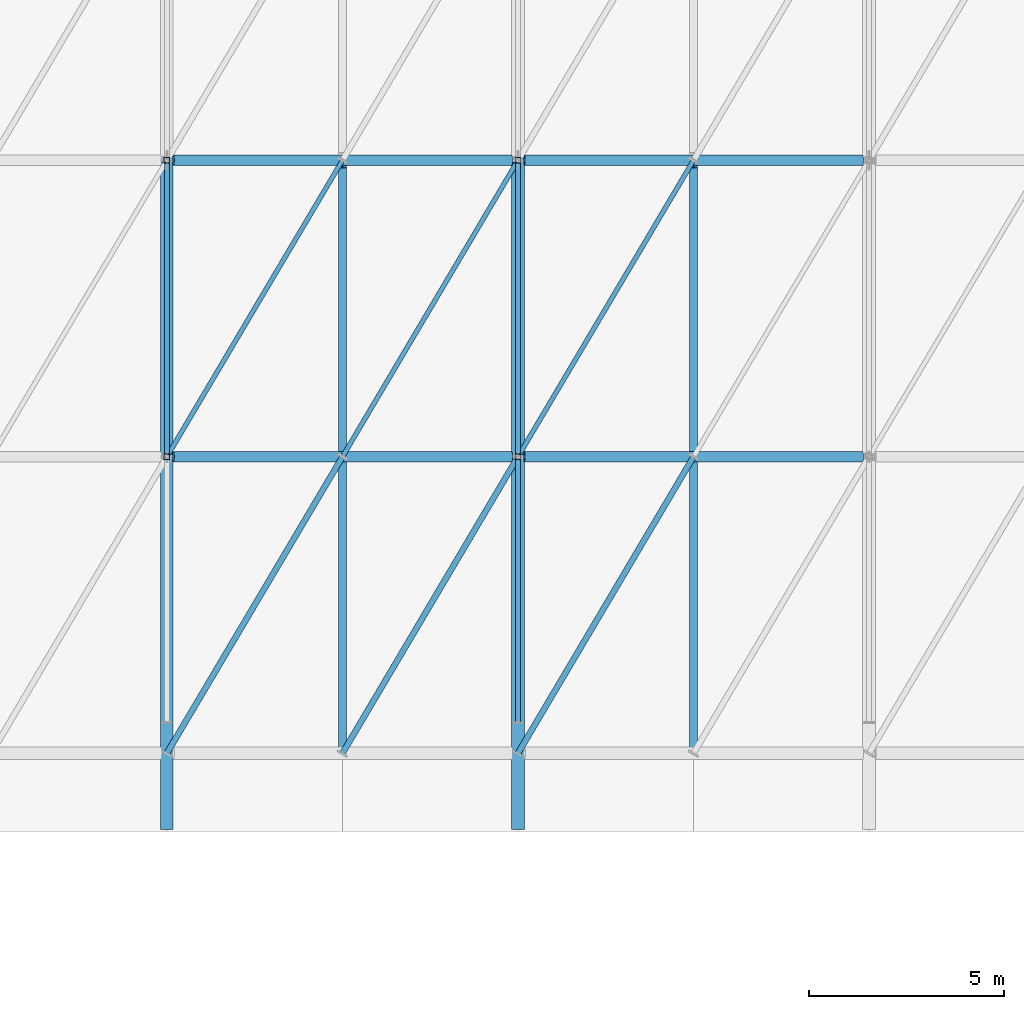
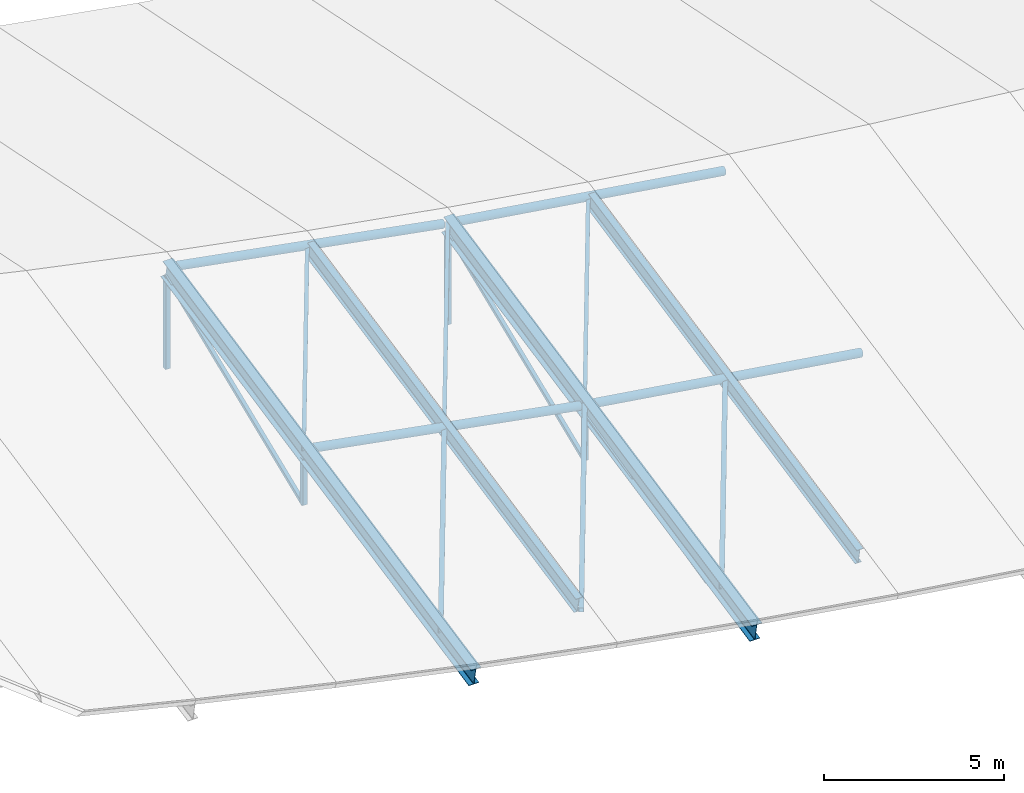
# One storey, part 5 of 21: 13 members, 8 beams.
"""IFC4 building model written with IfcOpenShell, lengths in metres."""

from ifc_helpers import new_model, si_unit, direction, frame, origin, origin_2d, place, context, subcontext, project, spatial, hollow_rectangle, hollow_circle, i_section, extrude, material, material_profile, profile_set, type_object, element, save


model = new_model("IFC4")

# Units and contexts
model_context = context("Model", 3, precision=1e-05, world=origin(), true_north=direction((0.0, 1.0)))
body_context = subcontext(model_context, "Body", "Model", "MODEL_VIEW")
ifc_project = project(units=[si_unit("LENGTHUNIT", "METRE"), si_unit("AREAUNIT", "SQUARE_METRE"), si_unit("VOLUMEUNIT", "CUBIC_METRE"), si_unit("PLANEANGLEUNIT", "RADIAN"), si_unit("MASSUNIT", "GRAM", prefix="KILO")], contexts=[model_context])

# Site, building, storey
site_placement = place(None, origin())
site = spatial("IfcSite", under=ifc_project, at=site_placement, CompositionType="ELEMENT")
building_placement = place(site_placement, origin())
building = spatial("IfcBuilding", under=site, at=building_placement, Name="Caisbarro Railhouse Central Library", CompositionType="ELEMENT")
storey_placement = place(building_placement, frame((0.0, 0.0, 26.639892578125)))
storey = spatial("IfcBuildingStorey", under=building, at=storey_placement, Name="RF", CompositionType="ELEMENT", Elevation=26.639892578125)

# Beams
ifc_material = material(Name="Steel ASTM A572 Grade 50", Category="steel")
ifc_material_profile_1 = material_profile(ifc_material, i_section(OverallWidth=0.324951171875, OverallDepth=0.615966796875, WebThickness=0.013916015625, FlangeThickness=0.021484375, FilletRadius=0.02197265625, at=origin_2d()), Name="W610X174.0")
ifc_profile_set_1 = profile_set([ifc_material_profile_1], Name="Steel ASTM A572 Grade 50")
beam_type_1 = type_object("IfcBeamType", Name="BM-G02", PredefinedType="BEAM", material=ifc_profile_set_1)
for number, where, z_axis, x_axis, name in (
    (1, (18.0, 28.5, -5.29736328125), (0.0, 0.979829500955, 0.199835304833), (-1.0, 0.0, 0.0), "V1 Gridshell South Rafter X=18"),
    (2, (27.0, 28.5, -6.947509765625), (0.0, 0.979829500955, 0.199835304833), (-1.0, 0.0, 0.0), "V1 Gridshell South Rafter X=27"),
):
    element("IfcBeam", number, at=place(storey_placement, frame(where, z_axis=z_axis, x_axis=x_axis)), inside=storey, type_object=beam_type_1, Name=name, PredefinedType="BEAM", context=body_context, shape_type="SweptSolid", body=[
        extrude(i_section(OverallWidth=0.324951171875, OverallDepth=0.615966796875, WebThickness=0.013916015625, FlangeThickness=0.021484375, FilletRadius=0.02197265625, at=origin_2d()), origin(), (0.0, 0.0, 1.0), 17.4521484375),
    ])
ifc_material_profile_2 = material_profile(ifc_material, i_section(OverallWidth=0.208984375, OverallDepth=0.532958984375, WebThickness=0.01025390625, FlangeThickness=0.015625, FilletRadius=0.02001953125, at=origin_2d()), Name="W530X92.0")
ifc_profile_set_2 = profile_set([ifc_material_profile_2], Name="Steel ASTM A572 Grade 50")
beam_type_2 = type_object("IfcBeamType", Name="BM-G06", PredefinedType="BEAM", material=ifc_profile_set_2)
for number, where, z_axis, x_axis, name in (
    (3, (22.5, 30.56494140625, -5.701171875), (0.0, 0.979832431979, 0.19982093294), (-1.0, 0.0, 0.0), "V1 Gridshell Secondary Rafter South 3"),
    (4, (31.5, 30.56494140625, -7.201171875), (0.0, 0.979832431979, 0.19982093294), (-1.0, 0.0, 0.0), "V1 Gridshell Secondary Rafter South 4"),
):
    element("IfcBeam", number, at=place(storey_placement, frame(where, z_axis=z_axis, x_axis=x_axis)), inside=storey, type_object=beam_type_2, Name=name, PredefinedType="BEAM", context=body_context, shape_type="SweptSolid", body=[
        extrude(i_section(OverallWidth=0.208984375, OverallDepth=0.532958984375, WebThickness=0.01025390625, FlangeThickness=0.015625, FilletRadius=0.02001953125, at=origin_2d()), origin(), (0.0, 0.0, 1.0), 15.20166015625),
    ])
ifc_material_profile_3 = material_profile(ifc_material, hollow_circle(Radius=0.136474609375, WallThickness=0.012451171875, at=origin_2d()), Name="CHS273.0X12.5")
ifc_profile_set_3 = profile_set([ifc_material_profile_3], Name="Steel ASTM A572 Grade 50")
beam_type_3 = type_object("IfcBeamType", Name="BM-RB02", PredefinedType="BEAM", material=ifc_profile_set_3)
for number, where, z_axis, x_axis, name in (
    (5, (18.1650390625, 38.0, -3.39013671875), (0.983604264655, 0.0, -0.18034037416), (0.0, 1.0, 0.0), "V1 Gridshell Longitudinal Chord Q103"),
    (6, (18.1650390625, 45.60009765625, -1.840087890625), (0.983604264655, 0.0, -0.18034037416), (0.0, 1.0, 0.0), "V1 Gridshell Longitudinal Chord M03"),
):
    element("IfcBeam", number, at=place(storey_placement, frame(where, z_axis=z_axis, x_axis=x_axis)), inside=storey, type_object=beam_type_3, Name=name, PredefinedType="BEAM", context=body_context, shape_type="SweptSolid", body=[
        extrude(hollow_circle(Radius=0.136474609375, WallThickness=0.012451171875, at=origin_2d()), origin(), (0.0, 0.0, 1.0), 8.814453125),
    ])
for number, where, z_axis, x_axis, name in (
    (7, (27.1650390625, 38.0, -5.03466796875), (0.988935535799, 0.0, -0.148345899955), (0.0, 1.0, 0.0), "V1 Gridshell Longitudinal Chord Q104"),
    (8, (27.1650390625, 45.60009765625, -3.484619140625), (0.988935535799, 0.0, -0.148345899955), (0.0, 1.0, 0.0), "V1 Gridshell Longitudinal Chord M04"),
):
    element("IfcBeam", number, at=place(storey_placement, frame(where, z_axis=z_axis, x_axis=x_axis)), inside=storey, type_object=beam_type_3, Name=name, PredefinedType="BEAM", context=body_context, shape_type="SweptSolid", body=[
        extrude(hollow_circle(Radius=0.136474609375, WallThickness=0.012451171875, at=origin_2d()), origin(), (0.0, 0.0, 1.0), 8.766845703125),
    ])

# Members
ifc_material_profile_4 = material_profile(ifc_material, hollow_rectangle(XDim=0.14990234375, YDim=0.14990234375, WallThickness=0.010009765625, at=origin_2d()), Name="HSS150X150X10")
ifc_profile_set_4 = profile_set([ifc_material_profile_4], Name="Steel ASTM A572 Grade 50")
member_type_1 = type_object("IfcMemberType", Name="MEM-GS01", PredefinedType="STRUT", material=ifc_profile_set_4)
member_1_placement = place(storey_placement, frame((18.0, 38.0, -5.2080078125), z_axis=(0.0, 0.0, 1.0), x_axis=(1.0, 0.0, 0.0)))
element("IfcMember", 9, at=member_1_placement, inside=storey, type_object=member_type_1, Name="V1 Gridshell QPS Strut 3", PredefinedType="STRUT", context=body_context, shape_type="SweptSolid", body=[
    extrude(hollow_rectangle(XDim=0.14990234375, YDim=0.14990234375, WallThickness=0.010009765625, at=origin_2d()), origin(), (0.0, 0.0, 1.0), 1.565185546875),
])
member_2_placement = place(storey_placement, frame((18.0, 45.60009765625, -5.2080078125), z_axis=(0.0, 0.0, 1.0), x_axis=(1.0, 0.0, 0.0)))
element("IfcMember", 10, at=member_2_placement, inside=storey, type_object=member_type_1, Name="V1 Gridshell KP Strut 3", PredefinedType="STRUT", context=body_context, shape_type="SweptSolid", body=[
    extrude(hollow_rectangle(XDim=0.14990234375, YDim=0.14990234375, WallThickness=0.010009765625, at=origin_2d()), origin(), (0.0, 0.0, 1.0), 3.115234375),
])
member_3_placement = place(storey_placement, frame((27.0, 38.0, -6.85791015625), z_axis=(0.0, 0.0, 1.0), x_axis=(1.0, 0.0, 0.0)))
element("IfcMember", 11, at=member_3_placement, inside=storey, type_object=member_type_1, Name="V1 Gridshell QPS Strut 4", PredefinedType="STRUT", context=body_context, shape_type="SweptSolid", body=[
    extrude(hollow_rectangle(XDim=0.14990234375, YDim=0.14990234375, WallThickness=0.010009765625, at=origin_2d()), origin(), (0.0, 0.0, 1.0), 1.56494140625),
])
member_4_placement = place(storey_placement, frame((27.0, 45.60009765625, -6.85791015625), z_axis=(0.0, 0.0, 1.0), x_axis=(1.0, 0.0, 0.0)))
element("IfcMember", 12, at=member_4_placement, inside=storey, type_object=member_type_1, Name="V1 Gridshell KP Strut 4", PredefinedType="STRUT", context=body_context, shape_type="SweptSolid", body=[
    extrude(hollow_rectangle(XDim=0.14990234375, YDim=0.14990234375, WallThickness=0.010009765625, at=origin_2d()), origin(), (0.0, 0.0, 1.0), 3.114990234375),
])
member_5_placement = place(storey_placement, frame((18.0, 30.39990234375, -4.909912109375), z_axis=(0.50795069645, 0.857883310574, 0.077603578624), x_axis=(-0.860478259115, 0.509487159397, 0.0)))
element("IfcMember", 13, at=member_5_placement, inside=storey, type_object=member_type_1, Name="V1 Gridshell Diagonal Strut 17", PredefinedType="STRUT", context=body_context, shape_type="SweptSolid", body=[
    extrude(hollow_rectangle(XDim=0.14990234375, YDim=0.14990234375, WallThickness=0.010009765625, at=origin_2d()), origin(), (0.0, 0.0, 1.0), 8.859130859375),
])
member_6_placement = place(storey_placement, frame((22.5, 30.39990234375, -5.7724609375), z_axis=(0.507599386275, 0.857289979099, 0.086004388202), x_axis=(-0.860478259115, 0.509487159397, 0.0)))
element("IfcMember", 14, at=member_6_placement, inside=storey, type_object=member_type_1, Name="V1 Gridshell Diagonal Strut 21", PredefinedType="STRUT", context=body_context, shape_type="SweptSolid", body=[
    extrude(hollow_rectangle(XDim=0.14990234375, YDim=0.14990234375, WallThickness=0.010009765625, at=origin_2d()), origin(), (0.0, 0.0, 1.0), 8.865234375),
])
member_7_placement = place(storey_placement, frame((27.0, 30.39990234375, -6.559814453125), z_axis=(0.507212600693, 0.856636732833, 0.094386893467), x_axis=(-0.860478259115, 0.509487159397, 0.0)))
element("IfcMember", 15, at=member_7_placement, inside=storey, type_object=member_type_1, Name="V1 Gridshell Diagonal Strut 25", PredefinedType="STRUT", context=body_context, shape_type="SweptSolid", body=[
    extrude(hollow_rectangle(XDim=0.14990234375, YDim=0.14990234375, WallThickness=0.010009765625, at=origin_2d()), origin(), (0.0, 0.0, 1.0), 8.8720703125),
])
ifc_material_profile_5 = material_profile(ifc_material, hollow_rectangle(XDim=0.1201171875, YDim=0.1201171875, WallThickness=0.008056640625, at=origin_2d()), Name="HSS120X120X8")
ifc_profile_set_5 = profile_set([ifc_material_profile_5], Name="Steel ASTM A572 Grade 50")
member_type_2 = type_object("IfcMemberType", Name="MEM-GS02", PredefinedType="STRUT", material=ifc_profile_set_5)
member_8_placement = place(storey_placement, frame((18.0, 38.0, -5.2080078125), z_axis=(0.0, 0.925286329636, 0.379269308261), x_axis=(-1.0, 0.0, 0.0)))
element("IfcMember", 16, at=member_8_placement, inside=storey, type_object=member_type_2, Name="V1 Gridshell Truss Web DS2 3", PredefinedType="STRUT", context=body_context, shape_type="SweptSolid", body=[
    extrude(hollow_rectangle(XDim=0.1201171875, YDim=0.1201171875, WallThickness=0.008056640625, at=origin_2d()), origin(), (0.0, 0.0, 1.0), 8.2138671875),
])
member_9_placement = place(storey_placement, frame((27.0, 31.199951171875, -6.85791015625), z_axis=(0.0, 0.974526058673, 0.224274298499), x_axis=(-1.0, 0.0, 0.0)))
element("IfcMember", 17, at=member_9_placement, inside=storey, type_object=member_type_2, Name="V1 Gridshell Truss Web DS1 4", PredefinedType="STRUT", context=body_context, shape_type="SweptSolid", body=[
    extrude(hollow_rectangle(XDim=0.1201171875, YDim=0.1201171875, WallThickness=0.008056640625, at=origin_2d()), origin(), (0.0, 0.0, 1.0), 6.977783203125),
])
member_10_placement = place(storey_placement, frame((27.0, 38.0, -6.85791015625), z_axis=(0.0, 0.925296760282, 0.379243860085), x_axis=(-1.0, 0.0, 0.0)))
element("IfcMember", 18, at=member_10_placement, inside=storey, type_object=member_type_2, Name="V1 Gridshell Truss Web DS2 4", PredefinedType="STRUT", context=body_context, shape_type="SweptSolid", body=[
    extrude(hollow_rectangle(XDim=0.1201171875, YDim=0.1201171875, WallThickness=0.008056640625, at=origin_2d()), origin(), (0.0, 0.0, 1.0), 8.213623046875),
])
member_11_placement = place(storey_placement, frame((18.0, 38.0, -3.35986328125), z_axis=(0.50795069645, 0.857883310574, 0.077603578624), x_axis=(-0.860478259115, 0.509487159397, 0.0)))
element("IfcMember", 19, at=member_11_placement, inside=storey, type_object=member_type_2, Name="V1 Gridshell Diagonal Strut 18", PredefinedType="STRUT", context=body_context, shape_type="SweptSolid", body=[
    extrude(hollow_rectangle(XDim=0.1201171875, YDim=0.1201171875, WallThickness=0.008056640625, at=origin_2d()), origin(), (0.0, 0.0, 1.0), 8.859130859375),
])
member_12_placement = place(storey_placement, frame((22.5, 38.0, -4.222412109375), z_axis=(0.507599386275, 0.857289979099, 0.086004388202), x_axis=(-0.860478259115, 0.509487159397, 0.0)))
element("IfcMember", 20, at=member_12_placement, inside=storey, type_object=member_type_2, Name="V1 Gridshell Diagonal Strut 22", PredefinedType="STRUT", context=body_context, shape_type="SweptSolid", body=[
    extrude(hollow_rectangle(XDim=0.1201171875, YDim=0.1201171875, WallThickness=0.008056640625, at=origin_2d()), origin(), (0.0, 0.0, 1.0), 8.865234375),
])
member_13_placement = place(storey_placement, frame((27.0, 38.0, -5.010009765625), z_axis=(0.507211283102, 0.856634507539, 0.09441416625), x_axis=(-0.860478259115, 0.509487159397, 0.0)))
element("IfcMember", 21, at=member_13_placement, inside=storey, type_object=member_type_2, Name="V1 Gridshell Diagonal Strut 26", PredefinedType="STRUT", context=body_context, shape_type="SweptSolid", body=[
    extrude(hollow_rectangle(XDim=0.1201171875, YDim=0.1201171875, WallThickness=0.008056640625, at=origin_2d()), origin(), (0.0, 0.0, 1.0), 8.8720703125),
])

save(model, "model.ifc")
